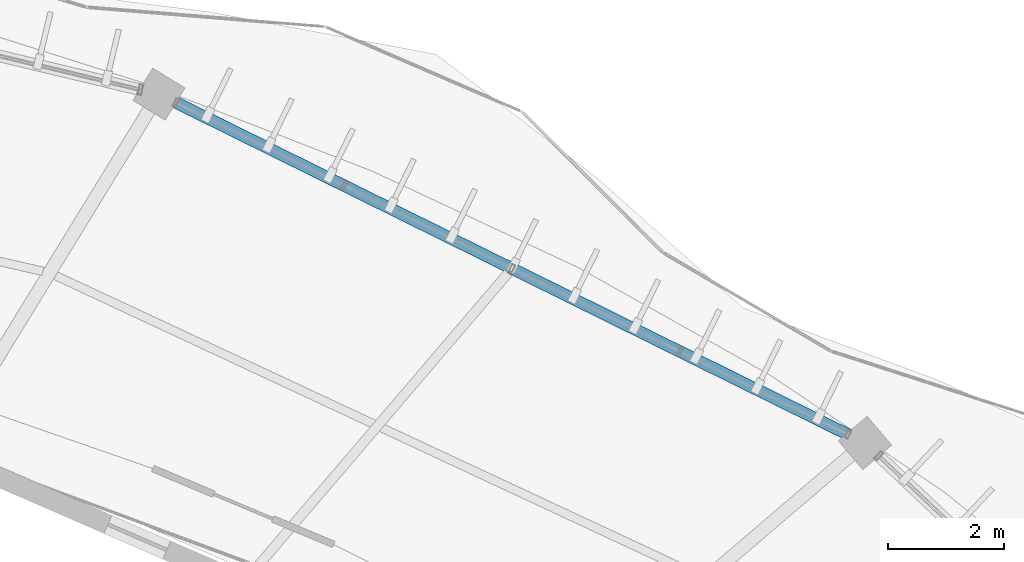
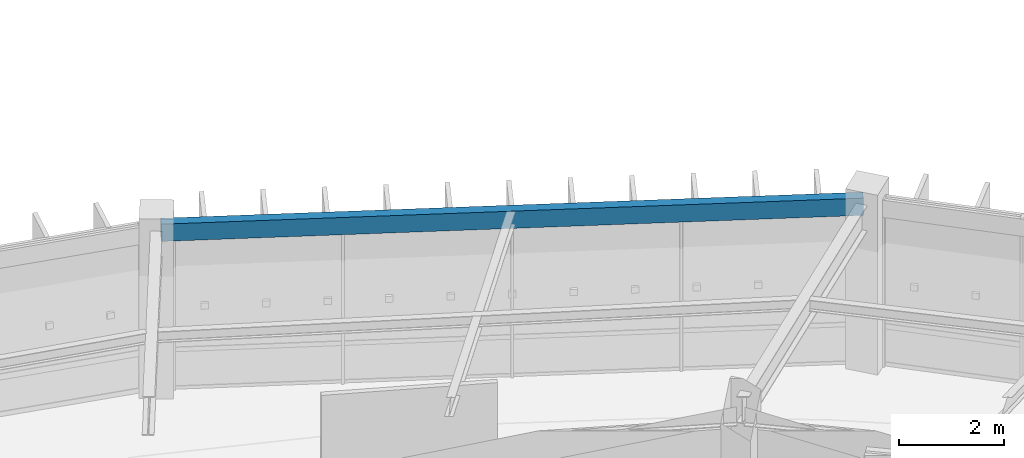
# One storey, part 70 of 114: 1 beam.
"""IFC4 building model written with IfcOpenShell, lengths in metres."""

from ifc_helpers import new_model, si_unit, direction, frame, origin, origin_2d, place, context, subcontext, project, spatial, hollow_rectangle, extrude, material, material_profile, profile_set, type_object, element, save


model = new_model("IFC4")

# Units and contexts
model_context = context("Model", 3, precision=1e-05, world=origin(), true_north=direction((0.0, 1.0)))
body_context = subcontext(model_context, "Body", "Model", "MODEL_VIEW")
ifc_project = project(units=[si_unit("LENGTHUNIT", "METRE"), si_unit("AREAUNIT", "SQUARE_METRE"), si_unit("VOLUMEUNIT", "CUBIC_METRE"), si_unit("PLANEANGLEUNIT", "RADIAN"), si_unit("MASSUNIT", "GRAM", prefix="KILO"), si_unit("THERMODYNAMICTEMPERATUREUNIT", "KELVIN"), si_unit("POWERUNIT", "WATT")], contexts=[model_context])

# Site, building, storey
site_placement = place(None, origin())
site = spatial("IfcSite", under=ifc_project, at=site_placement, CompositionType="ELEMENT")
building_placement = place(site_placement, origin())
building = spatial("IfcBuilding", under=site, at=building_placement, Name="Darbajah Civic Hall", CompositionType="ELEMENT")
storey_placement = place(building_placement, frame((0.0, 0.0, 13.800048828125)))
storey = spatial("IfcBuildingStorey", under=building, at=storey_placement, Name="L03", CompositionType="ELEMENT", Elevation=13.800048828125)

# Beam
ifc_material = material(Name="Steel S355JR", Category="steel")
ifc_material_profile = material_profile(ifc_material, hollow_rectangle(XDim=0.199951171875, YDim=0.39990234375, WallThickness=0.013916015625, at=origin_2d()), Name="RHS 400x200x14")
ifc_profile_set = profile_set([ifc_material_profile], Name="Steel S355JR")
beam_type = type_object("IfcBeamType", Name="RHS 400x200x14", PredefinedType="SPANDREL", material=ifc_profile_set)
beam_placement = place(storey_placement, frame((127.80908203125, 108.994140625, 3.719970703125), z_axis=(-0.896560149568, 0.442922000139, 0.0), x_axis=(-0.442922000139, -0.896560149568, 0.0)))
element("IfcBeam", 1, at=beam_placement, inside=storey, type_object=beam_type, Name="L03 beam SP-RHS400", PredefinedType="SPANDREL", context=body_context, shape_type="SweptSolid", body=[
    extrude(hollow_rectangle(XDim=0.199951171875, YDim=0.39990234375, WallThickness=0.013916015625, at=origin_2d()), origin(), (0.0, 0.0, 1.0), 13.373291015625),
])

save(model, "model.ifc")
